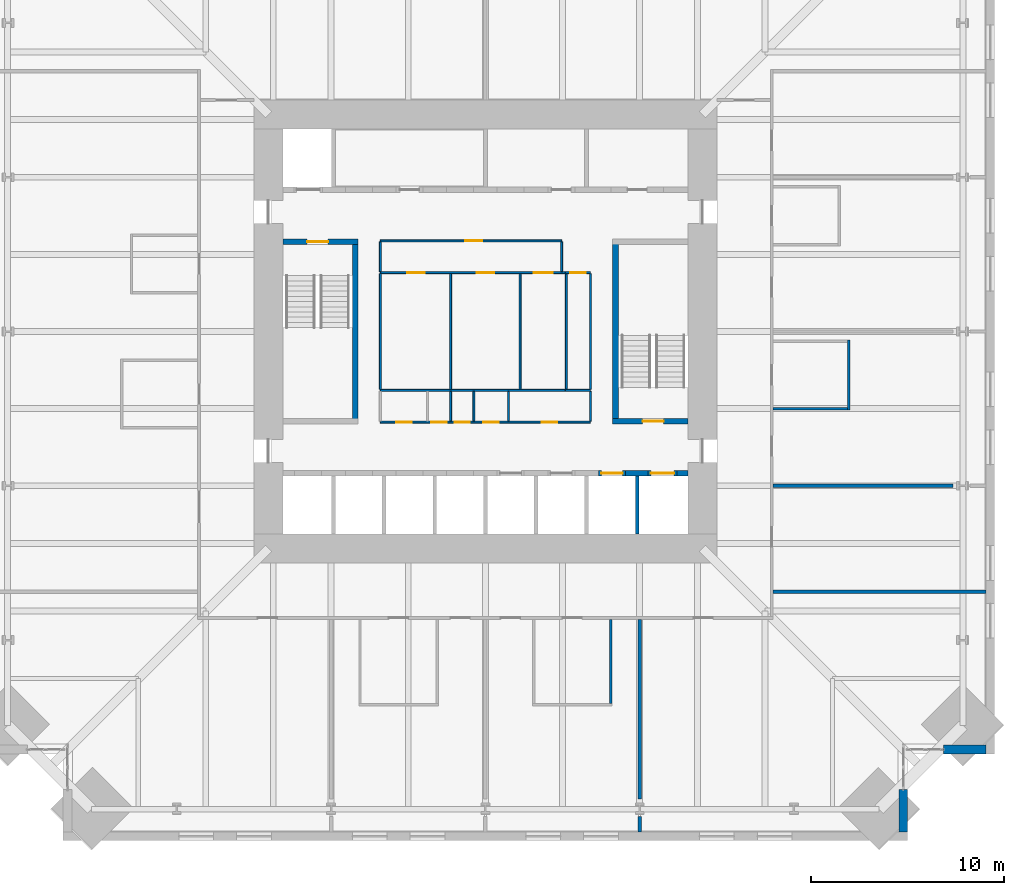
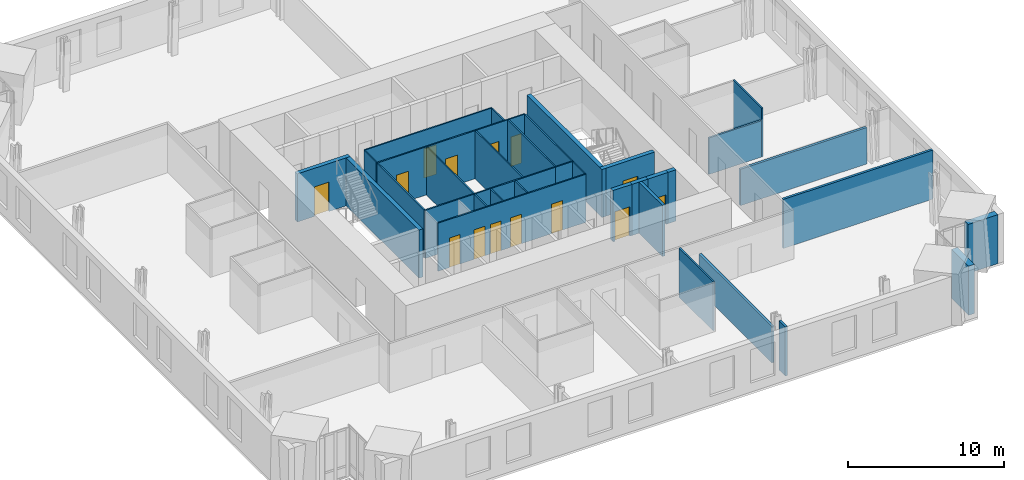
# One storey, part 15 of 18: 35 walls, 14 doors, 14 openings.
"""IFC4 building model written with IfcOpenShell, lengths in metres."""

from ifc_helpers import new_model, si_unit, direction, frame, frame_2d, origin, place, context, subcontext, project, spatial, rectangle, extrude, material, layer, layer_set, type_object, element, fill, save


model = new_model("IFC4")

# Units and contexts
model_context = context("Model", 3, precision=1e-05, world=origin(), true_north=direction((0.0, 1.0)))
body_context = subcontext(model_context, "Body", "Model", "MODEL_VIEW")
ifc_project = project(units=[si_unit("LENGTHUNIT", "METRE"), si_unit("AREAUNIT", "SQUARE_METRE"), si_unit("VOLUMEUNIT", "CUBIC_METRE"), si_unit("PLANEANGLEUNIT", "RADIAN"), si_unit("MASSUNIT", "GRAM", prefix="KILO")], contexts=[model_context])

# Site, building, storey
site_placement = place(None, origin())
site = spatial("IfcSite", under=ifc_project, at=site_placement, CompositionType="ELEMENT")
building_placement = place(site_placement, origin())
building = spatial("IfcBuilding", under=site, at=building_placement, Name="Peilmerk Tower", CompositionType="ELEMENT")
storey_placement = place(building_placement, frame((0.0, 0.0, 151.800048828125)))
storey = spatial("IfcBuildingStorey", under=building, at=storey_placement, Name="L31", CompositionType="ELEMENT", Elevation=151.800048828125)

# Walls
ifc_material_1 = material(Name="Precast concrete C45/55, board-marked finish", Category="concrete")
ifc_layer_1 = layer(ifc_material_1, 0.449951171875)
ifc_layer_set_1 = layer_set([ifc_layer_1], Name="Precast concrete C45/55, board-marked finish")
wall_type_1 = type_object("IfcWallType", Name="EW1 450 precast concrete facade wall, board-marked", PredefinedType="SOLIDWALL", material=ifc_layer_set_1)
for number, where, z_axis, x_axis, name in (
    (1, (21.675048828125, -23.753662109375, 0.0), (0.0, 0.0, 1.0), (0.0, -1.0, 0.0), "Facade wall SEA L31"),
    (2, (23.753662109375, -21.675048828125, 0.0), (0.0, 0.0, 1.0), (1.0, 0.0, 0.0), "Facade wall SEB L31"),
):
    element("IfcWall", number, at=place(storey_placement, frame(where, z_axis=z_axis, x_axis=x_axis)), inside=storey, type_object=wall_type_1, Name=name, PredefinedType="SOLIDWALL", context=body_context, shape_type="SweptSolid", body=[
        extrude(rectangle(XDim=2.1962890625, YDim=0.449951171875, at=frame_2d((1.09814453125, 0.0))), origin(), (0.0, 0.0, 1.0), 3.829833984375),
    ])
ifc_material_2 = material(Name="Concrete C35/45", Category="concrete")
ifc_layer_2 = layer(ifc_material_2, 0.300048828125)
ifc_layer_set_2 = layer_set([ifc_layer_2], Name="Concrete C35/45")
wall_type_2 = type_object("IfcWallType", Name="IW3 300 concrete stair enclosure wall, EI 120", PredefinedType="SOLIDWALL", material=ifc_layer_set_2)
wall_1_placement = place(storey_placement, frame((-6.75, -4.800048828125, 0.0), z_axis=(0.0, 0.0, 1.0), x_axis=(0.0, 1.0, 0.0)))
element("IfcWall", 3, at=wall_1_placement, inside=storey, type_object=wall_type_2, Name="Stair 1 enclosure L31", PredefinedType="SOLIDWALL", context=body_context, shape_type="SweptSolid", body=[
    extrude(rectangle(XDim=9.60009765625, YDim=0.300048828125, at=frame_2d((4.800048828125, 0.0))), origin(), (0.0, 0.0, 1.0), 3.75),
])

# Wall, opening, door
wall_2_placement = place(storey_placement, frame((-10.5, 4.64990234375, 0.0), z_axis=(0.0, 0.0, 1.0), x_axis=(1.0, 0.0, 0.0)))
wall_2 = element("IfcWall", 4, at=wall_2_placement, inside=storey, type_object=wall_type_2, Name="Stair 1 enclosure L31", PredefinedType="SOLIDWALL", context=body_context, shape_type="SweptSolid", body=[
    extrude(rectangle(XDim=3.89990234375, YDim=0.300048828125, at=frame_2d((1.949951171875, 0.0))), origin(), (0.0, 0.0, 1.0), 3.75),
])
opening_1_placement = place(wall_2_placement, frame((1.25, 0.0, 0.0)))
opening_1 = element("IfcOpeningElement", 5, at=opening_1_placement, cuts=wall_2, Name="Opening D4", PredefinedType="OPENING", context=body_context, shape_type="SweptSolid", body=[
    extrude(rectangle(XDim=1.10009765625, YDim=2.300048828125, at=frame_2d((0.550048828125, 1.14990234375))), frame((0.0, 0.159912109375, 0.0), z_axis=(0.0, -1.0, 0.0), x_axis=(1.0, 0.0, 0.0)), (0.0, 0.0, 1.0), 0.320068359375),
])
ifc_material_3 = material(Name="Steel door in steel frame", Category="steel")
door_type_1 = type_object("IfcDoorType", Name="D4 1100x2300 stair door, EI2 60", OperationType="SINGLE_SWING_RIGHT", PredefinedType="DOOR", material=ifc_material_3)
door_1_placement = place(opening_1_placement, frame((1.10009765625, 0.0, 0.0), z_axis=(0.0, 0.0, 1.0), x_axis=(-1.0, 0.0, 0.0)))
door_1 = element("IfcDoor", 6, at=door_1_placement, inside=storey, type_object=door_type_1, Name="Stair 1 door L31", OperationType="SINGLE_SWING_RIGHT", OverallHeight=2.300048828125, OverallWidth=1.10009765625, PredefinedType="DOOR", context=body_context, shape_type="SweptSolid", body=[
    extrude(rectangle(XDim=1.10009765625, YDim=2.300048828125, at=frame_2d((0.550048828125, 1.14990234375))), frame((0.0, 0.02490234375, 0.0), z_axis=(0.0, -1.0, 0.0), x_axis=(1.0, 0.0, 0.0)), (0.0, 0.0, 1.0), 0.050048828125),
])
fill(opening_1, door_1)

# Wall
wall_3_placement = place(storey_placement, frame((6.75, -4.800048828125, 0.0), z_axis=(0.0, 0.0, 1.0), x_axis=(0.0, 1.0, 0.0)))
element("IfcWall", 7, at=wall_3_placement, inside=storey, type_object=wall_type_2, Name="Stair 2 enclosure L31", PredefinedType="SOLIDWALL", context=body_context, shape_type="SweptSolid", body=[
    extrude(rectangle(XDim=9.60009765625, YDim=0.300048828125, at=frame_2d((4.800048828125, 0.0))), origin(), (0.0, 0.0, 1.0), 3.75),
])

# Wall, opening, door
wall_4_placement = place(storey_placement, frame((10.5, -4.64990234375, 0.0), z_axis=(0.0, 0.0, 1.0), x_axis=(-1.0, 0.0, 0.0)))
wall_4 = element("IfcWall", 8, at=wall_4_placement, inside=storey, type_object=wall_type_2, Name="Stair 2 enclosure L31", PredefinedType="SOLIDWALL", context=body_context, shape_type="SweptSolid", body=[
    extrude(rectangle(XDim=3.89990234375, YDim=0.300048828125, at=frame_2d((1.949951171875, 0.0))), origin(), (0.0, 0.0, 1.0), 3.75),
])
opening_2_placement = place(wall_4_placement, frame((1.25, 0.0, 0.0)))
opening_2 = element("IfcOpeningElement", 9, at=opening_2_placement, cuts=wall_4, Name="Opening D4", PredefinedType="OPENING", context=body_context, shape_type="SweptSolid", body=[
    extrude(rectangle(XDim=1.10009765625, YDim=2.300048828125, at=frame_2d((0.550048828125, 1.14990234375))), frame((0.0, 0.159912109375, 0.0), z_axis=(0.0, -1.0, 0.0), x_axis=(1.0, 0.0, 0.0)), (0.0, 0.0, 1.0), 0.320068359375),
])
door_2_placement = place(opening_2_placement, frame((1.10009765625, 0.0, 0.0), z_axis=(0.0, 0.0, 1.0), x_axis=(-1.0, 0.0, 0.0)))
door_2 = element("IfcDoor", 10, at=door_2_placement, inside=storey, type_object=door_type_1, Name="Stair 2 door L31", OperationType="SINGLE_SWING_RIGHT", OverallHeight=2.300048828125, OverallWidth=1.10009765625, PredefinedType="DOOR", context=body_context, shape_type="SweptSolid", body=[
    extrude(rectangle(XDim=1.10009765625, YDim=2.300048828125, at=frame_2d((0.550048828125, 1.14990234375))), frame((0.0, 0.02490234375, 0.0), z_axis=(0.0, -1.0, 0.0), x_axis=(1.0, 0.0, 0.0)), (0.0, 0.0, 1.0), 0.050048828125),
])
fill(opening_2, door_2)

# Wall, openings, doors
ifc_material_4 = material(Name="Plasterboard on steel studs", Category="steel")
ifc_layer_3 = layer(ifc_material_4, 0.10009765625)
ifc_layer_set_3 = layer_set([ifc_layer_3], Name="Plasterboard on steel studs")
wall_type_3 = type_object("IfcWallType", Name="IW4 100 WC partition", PredefinedType="PARTITIONING", material=ifc_layer_set_3)
wall_5_placement = place(storey_placement, frame((-5.449951171875, 3.050048828125, 0.0), z_axis=(0.0, 0.0, 1.0), x_axis=(1.0, 0.0, 0.0)))
wall_5 = element("IfcWall", 11, at=wall_5_placement, inside=storey, type_object=wall_type_3, Name="WC wall L31", PredefinedType="PARTITIONING", context=body_context, shape_type="SweptSolid", body=[
    extrude(rectangle(XDim=9.599853515625, YDim=0.10009765625, at=frame_2d((4.7998046875, 0.0))), origin(), (0.0, 0.0, 1.0), 3.75),
])
opening_3_placement = place(wall_5_placement, frame((1.39990234375, 0.0, 0.0)))
opening_3 = element("IfcOpeningElement", 12, at=opening_3_placement, cuts=wall_5, Name="Opening D5", PredefinedType="OPENING", context=body_context, shape_type="SweptSolid", body=[
    extrude(rectangle(XDim=0.89990234375, YDim=2.300048828125, at=frame_2d((0.449951171875, 1.14990234375))), frame((0.0, 0.06005859375, 0.0), z_axis=(0.0, -1.0, 0.0), x_axis=(1.0, 0.0, 0.0)), (0.0, 0.0, 1.0), 0.1201171875),
])
opening_4_placement = place(wall_5_placement, frame((5.0, 0.0, 0.0)))
opening_4 = element("IfcOpeningElement", 13, at=opening_4_placement, cuts=wall_5, Name="Opening D5", PredefinedType="OPENING", context=body_context, shape_type="SweptSolid", body=[
    extrude(rectangle(XDim=0.89990234375, YDim=2.300048828125, at=frame_2d((0.449951171875, 1.14990234375))), frame((0.0, 0.06005859375, 0.0), z_axis=(0.0, -1.0, 0.0), x_axis=(1.0, 0.0, 0.0)), (0.0, 0.0, 1.0), 0.1201171875),
])
opening_5_placement = place(wall_5_placement, frame((7.949951171875, 0.0, 0.0)))
opening_5 = element("IfcOpeningElement", 14, at=opening_5_placement, cuts=wall_5, Name="Opening D6", PredefinedType="OPENING", context=body_context, shape_type="SweptSolid", body=[
    extrude(rectangle(XDim=1.0, YDim=2.300048828125, at=frame_2d((0.5, 1.14990234375))), frame((0.0, 0.06005859375, 0.0), z_axis=(0.0, -1.0, 0.0), x_axis=(1.0, 0.0, 0.0)), (0.0, 0.0, 1.0), 0.1201171875),
])
ifc_material_5 = material(Name="Timber door in steel frame", Category="steel")
door_type_2 = type_object("IfcDoorType", Name="D5 900x2300 WC door", OperationType="SINGLE_SWING_LEFT", PredefinedType="DOOR", material=ifc_material_5)
door_3_placement = place(opening_3_placement, frame((0.89990234375, 0.0, 0.0), z_axis=(0.0, 0.0, 1.0), x_axis=(-1.0, 0.0, 0.0)))
door_3 = element("IfcDoor", 15, at=door_3_placement, inside=storey, type_object=door_type_2, Name="Male toilets door L31", OperationType="SINGLE_SWING_LEFT", OverallHeight=2.300048828125, OverallWidth=0.89990234375, PredefinedType="DOOR", context=body_context, shape_type="SweptSolid", body=[
    extrude(rectangle(XDim=0.89990234375, YDim=2.300048828125, at=frame_2d((0.449951171875, 1.14990234375))), frame((0.0, 0.02490234375, 0.0), z_axis=(0.0, -1.0, 0.0), x_axis=(1.0, 0.0, 0.0)), (0.0, 0.0, 1.0), 0.050048828125),
])
fill(opening_3, door_3)
door_4_placement = place(opening_4_placement, frame((0.89990234375, 0.0, 0.0), z_axis=(0.0, 0.0, 1.0), x_axis=(-1.0, 0.0, 0.0)))
door_4 = element("IfcDoor", 16, at=door_4_placement, inside=storey, type_object=door_type_2, Name="Female toilets door L31", OperationType="SINGLE_SWING_LEFT", OverallHeight=2.300048828125, OverallWidth=0.89990234375, PredefinedType="DOOR", context=body_context, shape_type="SweptSolid", body=[
    extrude(rectangle(XDim=0.89990234375, YDim=2.300048828125, at=frame_2d((0.449951171875, 1.14990234375))), frame((0.0, 0.02490234375, 0.0), z_axis=(0.0, -1.0, 0.0), x_axis=(1.0, 0.0, 0.0)), (0.0, 0.0, 1.0), 0.050048828125),
])
fill(opening_4, door_4)
door_type_3 = type_object("IfcDoorType", Name="D6 1000x2300 accessible WC door", OperationType="SLIDING_TO_LEFT", PredefinedType="DOOR", material=ifc_material_5)
door_5_placement = place(opening_5_placement, frame((1.0, 0.0, 0.0), z_axis=(0.0, 0.0, 1.0), x_axis=(-1.0, 0.0, 0.0)))
door_5 = element("IfcDoor", 17, at=door_5_placement, inside=storey, type_object=door_type_3, Name="Accessible WC door L31", OperationType="SLIDING_TO_LEFT", OverallHeight=2.300048828125, OverallWidth=1.0, PredefinedType="DOOR", context=body_context, shape_type="SweptSolid", body=[
    extrude(rectangle(XDim=1.0, YDim=2.300048828125, at=frame_2d((0.5, 1.14990234375))), frame((0.0, 0.02490234375, 0.0), z_axis=(0.0, -1.0, 0.0), x_axis=(1.0, 0.0, 0.0)), (0.0, 0.0, 1.0), 0.050048828125),
])
fill(opening_5, door_5)

# Walls
wall_6_placement = place(storey_placement, frame((4.14990234375, -3.050048828125, 0.0), z_axis=(0.0, 0.0, 1.0), x_axis=(-1.0, 0.0, 0.0)))
element("IfcWall", 18, at=wall_6_placement, inside=storey, type_object=wall_type_3, Name="WC wall L31", PredefinedType="PARTITIONING", context=body_context, shape_type="SweptSolid", body=[
    extrude(rectangle(XDim=9.599853515625, YDim=0.10009765625, at=frame_2d((4.7998046875, 0.0))), origin(), (0.0, 0.0, 1.0), 3.75),
])
for number, where, z_axis, x_axis, name in (
    (19, (-5.449951171875, -3.0, 0.0), (0.0, 0.0, 1.0), (0.0, 1.0, 0.0), "WC wall L31"),
    (20, (-1.800048828125, -3.0, 0.0), (0.0, 0.0, 1.0), (0.0, 1.0, 0.0), "WC wall L31"),
    (21, (1.800048828125, -3.0, 0.0), (0.0, 0.0, 1.0), (0.0, 1.0, 0.0), "WC wall L31"),
):
    element("IfcWall", number, at=place(storey_placement, frame(where, z_axis=z_axis, x_axis=x_axis)), inside=storey, type_object=wall_type_3, Name=name, PredefinedType="PARTITIONING", context=body_context, shape_type="SweptSolid", body=[
        extrude(rectangle(XDim=6.0, YDim=0.10009765625, at=frame_2d((3.0, 0.0))), origin(), (0.0, 0.0, 1.0), 3.75),
    ])

# Wall, opening, door
ifc_material_6 = material(Name="Calcium silicate board on steel studs", Category="steel")
ifc_layer_4 = layer(ifc_material_6, 0.10009765625)
ifc_layer_set_4 = layer_set([ifc_layer_4], Name="Calcium silicate board on steel studs")
wall_type_4 = type_object("IfcWallType", Name="IW5 100 riser enclosure wall, EI 60", PredefinedType="PARTITIONING", material=ifc_layer_set_4)
wall_7_placement = place(storey_placement, frame((4.14990234375, 3.050048828125, 0.0), z_axis=(0.0, 0.0, 1.0), x_axis=(1.0, 0.0, 0.0)))
wall_7 = element("IfcWall", 22, at=wall_7_placement, inside=storey, type_object=wall_type_4, Name="Riser wall L31", PredefinedType="PARTITIONING", context=body_context, shape_type="SweptSolid", body=[
    extrude(rectangle(XDim=1.300048828125, YDim=0.10009765625, at=frame_2d((0.64990234375, 0.0))), origin(), (0.0, 0.0, 1.0), 3.75),
])
opening_6_placement = place(wall_7_placement, frame((0.25, 0.0, 0.0)))
opening_6 = element("IfcOpeningElement", 23, at=opening_6_placement, cuts=wall_7, Name="Opening D7", PredefinedType="OPENING", context=body_context, shape_type="SweptSolid", body=[
    extrude(rectangle(XDim=0.800048828125, YDim=2.300048828125, at=frame_2d((0.39990234375, 1.14990234375))), frame((0.0, 0.06005859375, 0.0), z_axis=(0.0, -1.0, 0.0), x_axis=(1.0, 0.0, 0.0)), (0.0, 0.0, 1.0), 0.1201171875),
])
door_type_4 = type_object("IfcDoorType", Name="D7 800x2300 riser access door, EI2 60", OperationType="SINGLE_SWING_RIGHT", PredefinedType="DOOR", material=ifc_material_3)
door_6_placement = place(opening_6_placement, frame((0.800048828125, 0.0, 0.0), z_axis=(0.0, 0.0, 1.0), x_axis=(-1.0, 0.0, 0.0)))
door_6 = element("IfcDoor", 24, at=door_6_placement, inside=storey, type_object=door_type_4, Name="Plumbing riser door L31", OperationType="SINGLE_SWING_RIGHT", OverallHeight=2.300048828125, OverallWidth=0.800048828125, PredefinedType="DOOR", context=body_context, shape_type="SweptSolid", body=[
    extrude(rectangle(XDim=0.800048828125, YDim=2.300048828125, at=frame_2d((0.39990234375, 1.14990234375))), frame((0.0, 0.02490234375, 0.0), z_axis=(0.0, -1.0, 0.0), x_axis=(1.0, 0.0, 0.0)), (0.0, 0.0, 1.0), 0.050048828125),
])
fill(opening_6, door_6)

# Walls
wall_8_placement = place(storey_placement, frame((5.449951171875, -3.050048828125, 0.0), z_axis=(0.0, 0.0, 1.0), x_axis=(-1.0, 0.0, 0.0)))
element("IfcWall", 25, at=wall_8_placement, inside=storey, type_object=wall_type_4, Name="Riser wall L31", PredefinedType="PARTITIONING", context=body_context, shape_type="SweptSolid", body=[
    extrude(rectangle(XDim=1.300048828125, YDim=0.10009765625, at=frame_2d((0.64990234375, 0.0))), origin(), (0.0, 0.0, 1.0), 3.75),
])
for number, where, z_axis, x_axis, name in (
    (26, (5.449951171875, 3.0, 0.0), (0.0, 0.0, 1.0), (0.0, -1.0, 0.0), "Riser wall L31"),
    (27, (4.199951171875, -3.0, 0.0), (0.0, 0.0, 1.0), (0.0, 1.0, 0.0), "Riser wall L31"),
):
    element("IfcWall", number, at=place(storey_placement, frame(where, z_axis=z_axis, x_axis=x_axis)), inside=storey, type_object=wall_type_4, Name=name, PredefinedType="PARTITIONING", context=body_context, shape_type="SweptSolid", body=[
        extrude(rectangle(XDim=6.0, YDim=0.10009765625, at=frame_2d((3.0, 0.0))), origin(), (0.0, 0.0, 1.0), 3.75),
    ])

# Wall, openings, doors
wall_9_placement = place(storey_placement, frame((5.449951171875, -4.699951171875, 0.0), z_axis=(0.0, 0.0, 1.0), x_axis=(-1.0, 0.0, 0.0)))
wall_9 = element("IfcWall", 28, at=wall_9_placement, inside=storey, type_object=wall_type_4, Name="Riser wall L31", PredefinedType="PARTITIONING", context=body_context, shape_type="SweptSolid", body=[
    extrude(rectangle(XDim=10.89990234375, YDim=0.10009765625, at=frame_2d((5.449951171875, 0.0))), origin(), (0.0, 0.0, 1.0), 3.75),
])
opening_7_placement = place(wall_9_placement, frame((9.27490234375, 0.0, 0.0)))
opening_7 = element("IfcOpeningElement", 29, at=opening_7_placement, cuts=wall_9, Name="Opening D7", PredefinedType="OPENING", context=body_context, shape_type="SweptSolid", body=[
    extrude(rectangle(XDim=0.800048828125, YDim=2.300048828125, at=frame_2d((0.39990234375, 1.14990234375))), frame((0.0, 0.06005859375, 0.0), z_axis=(0.0, -1.0, 0.0), x_axis=(1.0, 0.0, 0.0)), (0.0, 0.0, 1.0), 0.1201171875),
])
opening_8_placement = place(wall_9_placement, frame((7.449951171875, 0.0, 0.0)))
opening_8 = element("IfcOpeningElement", 30, at=opening_8_placement, cuts=wall_9, Name="Opening D7", PredefinedType="OPENING", context=body_context, shape_type="SweptSolid", body=[
    extrude(rectangle(XDim=0.800048828125, YDim=2.300048828125, at=frame_2d((0.39990234375, 1.14990234375))), frame((0.0, 0.06005859375, 0.0), z_axis=(0.0, -1.0, 0.0), x_axis=(1.0, 0.0, 0.0)), (0.0, 0.0, 1.0), 0.1201171875),
])
opening_9_placement = place(wall_9_placement, frame((6.25, 0.0, 0.0)))
opening_9 = element("IfcOpeningElement", 31, at=opening_9_placement, cuts=wall_9, Name="Opening D7", PredefinedType="OPENING", context=body_context, shape_type="SweptSolid", body=[
    extrude(rectangle(XDim=0.800048828125, YDim=2.300048828125, at=frame_2d((0.39990234375, 1.14990234375))), frame((0.0, 0.06005859375, 0.0), z_axis=(0.0, -1.0, 0.0), x_axis=(1.0, 0.0, 0.0)), (0.0, 0.0, 1.0), 0.1201171875),
])
opening_10_placement = place(wall_9_placement, frame((4.75, 0.0, 0.0)))
opening_10 = element("IfcOpeningElement", 32, at=opening_10_placement, cuts=wall_9, Name="Opening D7", PredefinedType="OPENING", context=body_context, shape_type="SweptSolid", body=[
    extrude(rectangle(XDim=0.800048828125, YDim=2.300048828125, at=frame_2d((0.39990234375, 1.14990234375))), frame((0.0, 0.06005859375, 0.0), z_axis=(0.0, -1.0, 0.0), x_axis=(1.0, 0.0, 0.0)), (0.0, 0.0, 1.0), 0.1201171875),
])
opening_11_placement = place(wall_9_placement, frame((1.72509765625, 0.0, 0.0)))
opening_11 = element("IfcOpeningElement", 33, at=opening_11_placement, cuts=wall_9, Name="Opening D7", PredefinedType="OPENING", context=body_context, shape_type="SweptSolid", body=[
    extrude(rectangle(XDim=0.800048828125, YDim=2.300048828125, at=frame_2d((0.39990234375, 1.14990234375))), frame((0.0, 0.06005859375, 0.0), z_axis=(0.0, -1.0, 0.0), x_axis=(1.0, 0.0, 0.0)), (0.0, 0.0, 1.0), 0.1201171875),
])
door_7_placement = place(opening_7_placement, frame((0.800048828125, 0.0, 0.0), z_axis=(0.0, 0.0, 1.0), x_axis=(-1.0, 0.0, 0.0)))
door_7 = element("IfcDoor", 34, at=door_7_placement, inside=storey, type_object=door_type_4, Name="Electrical room door L31", OperationType="SINGLE_SWING_RIGHT", OverallHeight=2.300048828125, OverallWidth=0.800048828125, PredefinedType="DOOR", context=body_context, shape_type="SweptSolid", body=[
    extrude(rectangle(XDim=0.800048828125, YDim=2.300048828125, at=frame_2d((0.39990234375, 1.14990234375))), frame((0.0, 0.02490234375, 0.0), z_axis=(0.0, -1.0, 0.0), x_axis=(1.0, 0.0, 0.0)), (0.0, 0.0, 1.0), 0.050048828125),
])
fill(opening_7, door_7)
door_8_placement = place(opening_8_placement, frame((0.800048828125, 0.0, 0.0), z_axis=(0.0, 0.0, 1.0), x_axis=(-1.0, 0.0, 0.0)))
door_8 = element("IfcDoor", 35, at=door_8_placement, inside=storey, type_object=door_type_4, Name="Electrical riser door L31", OperationType="SINGLE_SWING_RIGHT", OverallHeight=2.300048828125, OverallWidth=0.800048828125, PredefinedType="DOOR", context=body_context, shape_type="SweptSolid", body=[
    extrude(rectangle(XDim=0.800048828125, YDim=2.300048828125, at=frame_2d((0.39990234375, 1.14990234375))), frame((0.0, 0.02490234375, 0.0), z_axis=(0.0, -1.0, 0.0), x_axis=(1.0, 0.0, 0.0)), (0.0, 0.0, 1.0), 0.050048828125),
])
fill(opening_8, door_8)
door_9_placement = place(opening_9_placement, frame((0.800048828125, 0.0, 0.0), z_axis=(0.0, 0.0, 1.0), x_axis=(-1.0, 0.0, 0.0)))
door_9 = element("IfcDoor", 36, at=door_9_placement, inside=storey, type_object=door_type_4, Name="Data riser door L31", OperationType="SINGLE_SWING_RIGHT", OverallHeight=2.300048828125, OverallWidth=0.800048828125, PredefinedType="DOOR", context=body_context, shape_type="SweptSolid", body=[
    extrude(rectangle(XDim=0.800048828125, YDim=2.300048828125, at=frame_2d((0.39990234375, 1.14990234375))), frame((0.0, 0.02490234375, 0.0), z_axis=(0.0, -1.0, 0.0), x_axis=(1.0, 0.0, 0.0)), (0.0, 0.0, 1.0), 0.050048828125),
])
fill(opening_9, door_9)
door_10_placement = place(opening_10_placement, frame((0.800048828125, 0.0, 0.0), z_axis=(0.0, 0.0, 1.0), x_axis=(-1.0, 0.0, 0.0)))
door_10 = element("IfcDoor", 37, at=door_10_placement, inside=storey, type_object=door_type_4, Name="Cleaner's cupboard door L31", OperationType="SINGLE_SWING_RIGHT", OverallHeight=2.300048828125, OverallWidth=0.800048828125, PredefinedType="DOOR", context=body_context, shape_type="SweptSolid", body=[
    extrude(rectangle(XDim=0.800048828125, YDim=2.300048828125, at=frame_2d((0.39990234375, 1.14990234375))), frame((0.0, 0.02490234375, 0.0), z_axis=(0.0, -1.0, 0.0), x_axis=(1.0, 0.0, 0.0)), (0.0, 0.0, 1.0), 0.050048828125),
])
fill(opening_10, door_10)
door_11_placement = place(opening_11_placement, frame((0.800048828125, 0.0, 0.0), z_axis=(0.0, 0.0, 1.0), x_axis=(-1.0, 0.0, 0.0)))
door_11 = element("IfcDoor", 38, at=door_11_placement, inside=storey, type_object=door_type_4, Name="Comms room door L31", OperationType="SINGLE_SWING_RIGHT", OverallHeight=2.300048828125, OverallWidth=0.800048828125, PredefinedType="DOOR", context=body_context, shape_type="SweptSolid", body=[
    extrude(rectangle(XDim=0.800048828125, YDim=2.300048828125, at=frame_2d((0.39990234375, 1.14990234375))), frame((0.0, 0.02490234375, 0.0), z_axis=(0.0, -1.0, 0.0), x_axis=(1.0, 0.0, 0.0)), (0.0, 0.0, 1.0), 0.050048828125),
])
fill(opening_11, door_11)

# Walls
for number, where, z_axis, x_axis, name in (
    (39, (5.449951171875, -3.10009765625, 0.0), (0.0, 0.0, 1.0), (0.0, -1.0, 0.0), "Riser wall L31"),
    (40, (-1.800048828125, -3.10009765625, 0.0), (0.0, 0.0, 1.0), (0.0, -1.0, 0.0), "Riser wall L31"),
    (41, (-0.60009765625, -3.10009765625, 0.0), (0.0, 0.0, 1.0), (0.0, -1.0, 0.0), "Riser wall L31"),
    (42, (1.199951171875, -3.10009765625, 0.0), (0.0, 0.0, 1.0), (0.0, -1.0, 0.0), "Riser wall L31"),
):
    element("IfcWall", number, at=place(storey_placement, frame(where, z_axis=z_axis, x_axis=x_axis)), inside=storey, type_object=wall_type_4, Name=name, PredefinedType="PARTITIONING", context=body_context, shape_type="SweptSolid", body=[
        extrude(rectangle(XDim=1.5498046875, YDim=0.10009765625, at=frame_2d((0.77490234375, 0.0))), origin(), (0.0, 0.0, 1.0), 3.75),
    ])
ifc_material_7 = material(Name="Plasterboard on steel studs, double boarded with mineral wool", Category="steel")
ifc_layer_5 = layer(ifc_material_7, 0.125)
ifc_layer_set_5 = layer_set([ifc_layer_5], Name="Plasterboard on steel studs, double boarded with mineral wool")
wall_type_5 = type_object("IfcWallType", Name="IW7 125 acoustic partition, EI 30", PredefinedType="PARTITIONING", material=ifc_layer_set_5)
wall_10_placement = place(storey_placement, frame((6.5, -14.925048828125, 0.0), z_axis=(0.0, 0.0, 1.0), x_axis=(0.0, -1.0, 0.0)))
element("IfcWall", 43, at=wall_10_placement, inside=storey, type_object=wall_type_5, Name="Acoustic partition Meeting room L31", PredefinedType="PARTITIONING", context=body_context, shape_type="SweptSolid", body=[
    extrude(rectangle(XDim=4.362548828125, YDim=0.125, at=frame_2d((2.18115234375, 0.0))), origin(), (0.0, 0.0, 1.0), 3.829833984375),
])
wall_11_placement = place(storey_placement, frame((18.85009765625, -4.0625, 0.0), z_axis=(0.0, 0.0, 1.0), x_axis=(0.0, 1.0, 0.0)))
element("IfcWall", 44, at=wall_11_placement, inside=storey, type_object=wall_type_5, Name="Acoustic partition Meeting room L31", PredefinedType="PARTITIONING", context=body_context, shape_type="SweptSolid", body=[
    extrude(rectangle(XDim=3.625, YDim=0.125, at=frame_2d((1.8125, 0.0))), origin(), (0.0, 0.0, 1.0), 3.829833984375),
])
wall_12_placement = place(storey_placement, frame((14.925048828125, -4.0, 0.0), z_axis=(0.0, 0.0, 1.0), x_axis=(1.0, 0.0, 0.0)))
element("IfcWall", 45, at=wall_12_placement, inside=storey, type_object=wall_type_5, Name="Acoustic partition Meeting room L31", PredefinedType="PARTITIONING", context=body_context, shape_type="SweptSolid", body=[
    extrude(rectangle(XDim=3.862548828125, YDim=0.125, at=frame_2d((1.93115234375, 0.0))), origin(), (0.0, 0.0, 1.0), 2.83984375),
])
ifc_material_8 = material(Name="Calcium silicate block", Category="masonry")
ifc_layer_6 = layer(ifc_material_8, 0.175048828125)
ifc_layer_set_6 = layer_set([ifc_layer_6], Name="Calcium silicate block")
wall_type_6 = type_object("IfcWallType", Name="IW8 175 tenant separating wall, EI 60", PredefinedType="PARTITIONING", material=ifc_layer_set_6)
wall_13_placement = place(storey_placement, frame((25.949951171875, -13.5, 0.0), z_axis=(0.0, 0.0, 1.0), x_axis=(-1.0, 0.0, 0.0)))
element("IfcWall", 46, at=wall_13_placement, inside=storey, type_object=wall_type_6, Name="Tenant separating wall SE L31", PredefinedType="PARTITIONING", context=body_context, shape_type="SweptSolid", body=[
    extrude(rectangle(XDim=11.02490234375, YDim=0.175048828125, at=frame_2d((5.512451171875, 0.0))), origin(), (0.0, 0.0, 1.0), 3.829833984375),
])
wall_14_placement = place(storey_placement, frame((8.0, -14.925048828125, 0.0), z_axis=(0.0, 0.0, 1.0), x_axis=(0.0, -1.0, 0.0)))
element("IfcWall", 47, at=wall_14_placement, inside=storey, type_object=wall_type_6, Name="Tenant separating wall S3 L31", PredefinedType="PARTITIONING", context=body_context, shape_type="SweptSolid", body=[
    extrude(rectangle(XDim=9.325439453125, YDim=0.175048828125, at=frame_2d((4.66259765625, 0.0))), origin(), (0.0, 0.0, 1.0), 2.83984375),
])
wall_15_placement = place(storey_placement, frame((8.0, -25.1396484375, 0.0), z_axis=(0.0, 0.0, 1.0), x_axis=(0.0, -1.0, 0.0)))
element("IfcWall", 48, at=wall_15_placement, inside=storey, type_object=wall_type_6, Name="Tenant separating wall S3b L31", PredefinedType="PARTITIONING", context=body_context, shape_type="SweptSolid", body=[
    extrude(rectangle(XDim=0.810302734375, YDim=0.175048828125, at=frame_2d((0.4052734375, 0.0))), origin(), (0.0, 0.0, 1.0), 3.829833984375),
])
wall_16_placement = place(storey_placement, frame((14.925048828125, -8.0, 0.0), z_axis=(0.0, 0.0, 1.0), x_axis=(1.0, 0.0, 0.0)))
element("IfcWall", 49, at=wall_16_placement, inside=storey, type_object=wall_type_6, Name="Tenant separating wall E1 L31", PredefinedType="PARTITIONING", context=body_context, shape_type="SweptSolid", body=[
    extrude(rectangle(XDim=9.325439453125, YDim=0.175048828125, at=frame_2d((4.66259765625, 0.0))), origin(), (0.0, 0.0, 1.0), 2.83984375),
])

# Wall, opening, door
ifc_material_9 = material(Name="Fire-resisting plasterboard on steel studs", Category="steel")
ifc_layer_7 = layer(ifc_material_9, 0.10009765625)
ifc_layer_set_7 = layer_set([ifc_layer_7], Name="Fire-resisting plasterboard on steel studs")
wall_type_7 = type_object("IfcWallType", Name="IW9 100 WC lobby wall, EI 30", PredefinedType="PARTITIONING", material=ifc_layer_set_7)
wall_17_placement = place(storey_placement, frame((-5.449951171875, 4.699951171875, 0.0), z_axis=(0.0, 0.0, 1.0), x_axis=(1.0, 0.0, 0.0)))
wall_17 = element("IfcWall", 50, at=wall_17_placement, inside=storey, type_object=wall_type_7, Name="WC lobby wall L31", PredefinedType="PARTITIONING", context=body_context, shape_type="SweptSolid", body=[
    extrude(rectangle(XDim=9.39990234375, YDim=0.10009765625, at=frame_2d((4.699951171875, 0.0))), origin(), (0.0, 0.0, 1.0), 3.75),
])
opening_12_placement = place(wall_17_placement, frame((4.39990234375, 0.0, 0.0)))
opening_12 = element("IfcOpeningElement", 51, at=opening_12_placement, cuts=wall_17, Name="Opening D11", PredefinedType="OPENING", context=body_context, shape_type="SweptSolid", body=[
    extrude(rectangle(XDim=0.89990234375, YDim=2.300048828125, at=frame_2d((0.449951171875, 1.14990234375))), frame((0.0, 0.06005859375, 0.0), z_axis=(0.0, -1.0, 0.0), x_axis=(1.0, 0.0, 0.0)), (0.0, 0.0, 1.0), 0.1201171875),
])
door_type_5 = type_object("IfcDoorType", Name="D11 900x2300 WC lobby door, EI2 30", OperationType="SINGLE_SWING_LEFT", PredefinedType="DOOR", material=ifc_material_5)
door_12_placement = place(opening_12_placement, frame((0.89990234375, 0.0, 0.0), z_axis=(0.0, 0.0, 1.0), x_axis=(-1.0, 0.0, 0.0)))
door_12 = element("IfcDoor", 52, at=door_12_placement, inside=storey, type_object=door_type_5, Name="WC lobby door L31", OperationType="SINGLE_SWING_LEFT", OverallHeight=2.300048828125, OverallWidth=0.89990234375, PredefinedType="DOOR", context=body_context, shape_type="SweptSolid", body=[
    extrude(rectangle(XDim=0.89990234375, YDim=2.300048828125, at=frame_2d((0.449951171875, 1.14990234375))), frame((0.0, 0.02490234375, 0.0), z_axis=(0.0, -1.0, 0.0), x_axis=(1.0, 0.0, 0.0)), (0.0, 0.0, 1.0), 0.050048828125),
])
fill(opening_12, door_12)

# Walls
for number, where, z_axis, x_axis, name in (
    (53, (-5.449951171875, 3.10009765625, 0.0), (0.0, 0.0, 1.0), (0.0, 1.0, 0.0), "WC lobby wall L31"),
    (54, (3.949951171875, 3.10009765625, 0.0), (0.0, 0.0, 1.0), (0.0, 1.0, 0.0), "WC lobby wall L31"),
):
    element("IfcWall", number, at=place(storey_placement, frame(where, z_axis=z_axis, x_axis=x_axis)), inside=storey, type_object=wall_type_7, Name=name, PredefinedType="PARTITIONING", context=body_context, shape_type="SweptSolid", body=[
        extrude(rectangle(XDim=1.5498046875, YDim=0.10009765625, at=frame_2d((0.77490234375, 0.0))), origin(), (0.0, 0.0, 1.0), 3.75),
    ])
ifc_layer_8 = layer(ifc_material_8, 0.199951171875)
ifc_layer_set_8 = layer_set([ifc_layer_8], Name="Calcium silicate block")
wall_type_8 = type_object("IfcWallType", Name="SH1 200 shaft dividing wall, EI 120", PredefinedType="PARTITIONING", material=ifc_layer_set_8)
wall_18_placement = place(storey_placement, frame((7.875, -10.5, 0.0), z_axis=(0.0, 0.0, 1.0), x_axis=(0.0, 1.0, 0.0)))
element("IfcWall", 55, at=wall_18_placement, inside=storey, type_object=wall_type_8, Name="Shaft wall S B1 L31", PredefinedType="PARTITIONING", context=body_context, shape_type="SweptSolid", body=[
    extrude(rectangle(XDim=3.0, YDim=0.199951171875, at=frame_2d((1.5, 0.0))), origin(), (0.0, 0.0, 1.0), 4.0),
])

# Wall, opening, door
ifc_layer_9 = layer(ifc_material_8, 0.300048828125)
ifc_layer_set_9 = layer_set([ifc_layer_9], Name="Calcium silicate block")
wall_type_9 = type_object("IfcWallType", Name="SH2 300 lift landing door panel, EI 120", PredefinedType="PARTITIONING", material=ifc_layer_set_9)
wall_19_placement = place(storey_placement, frame((5.862548828125, -7.35009765625, 0.0), z_axis=(0.0, 0.0, 1.0), x_axis=(1.0, 0.0, 0.0)))
wall_19 = element("IfcWall", 56, at=wall_19_placement, inside=storey, type_object=wall_type_9, Name="Lift door panel S B1 L31", PredefinedType="PARTITIONING", context=body_context, shape_type="SweptSolid", body=[
    extrude(rectangle(XDim=1.39990234375, YDim=0.300048828125, at=frame_2d((0.699951171875, 0.0))), origin(), (0.0, 0.0, 1.0), 4.0),
])
opening_13_placement = place(wall_19_placement, frame((0.14990234375, 0.0, 0.0)))
opening_13 = element("IfcOpeningElement", 57, at=opening_13_placement, cuts=wall_19, Name="Opening LD1", PredefinedType="OPENING", context=body_context, shape_type="SweptSolid", body=[
    extrude(rectangle(XDim=1.10009765625, YDim=2.300048828125, at=frame_2d((0.550048828125, 1.14990234375))), frame((0.0, 0.159912109375, 0.0), z_axis=(0.0, -1.0, 0.0), x_axis=(1.0, 0.0, 0.0)), (0.0, 0.0, 1.0), 0.320068359375),
])
ifc_material_10 = material(Name="Stainless steel landing door", Category="steel")
door_type_6 = type_object("IfcDoorType", Name="LD1 1100x2300 lift landing door, sliding, EI2 60", OperationType="SLIDING_TO_LEFT", PredefinedType="DOOR", material=ifc_material_10)
door_13_placement = place(opening_13_placement, origin())
door_13 = element("IfcDoor", 58, at=door_13_placement, inside=storey, type_object=door_type_6, Name="Lift landing door B1 L31", OperationType="SLIDING_TO_LEFT", OverallHeight=2.300048828125, OverallWidth=1.10009765625, PredefinedType="DOOR", context=body_context, shape_type="SweptSolid", body=[
    extrude(rectangle(XDim=1.10009765625, YDim=2.300048828125, at=frame_2d((0.550048828125, 1.14990234375))), frame((0.0, 0.02490234375, 0.0), z_axis=(0.0, -1.0, 0.0), x_axis=(1.0, 0.0, 0.0)), (0.0, 0.0, 1.0), 0.050048828125),
])
fill(opening_13, door_13)

wall_20_placement = place(storey_placement, frame((8.4375, -7.35009765625, 0.0), z_axis=(0.0, 0.0, 1.0), x_axis=(1.0, 0.0, 0.0)))
wall_20 = element("IfcWall", 59, at=wall_20_placement, inside=storey, type_object=wall_type_9, Name="Lift door panel S FL2 L31", PredefinedType="PARTITIONING", context=body_context, shape_type="SweptSolid", body=[
    extrude(rectangle(XDim=1.5, YDim=0.300048828125, at=frame_2d((0.75, 0.0))), origin(), (0.0, 0.0, 1.0), 4.0),
])
opening_14_placement = place(wall_20_placement, frame((0.14990234375, 0.0, 0.0)))
opening_14 = element("IfcOpeningElement", 60, at=opening_14_placement, cuts=wall_20, Name="Opening LD2", PredefinedType="OPENING", context=body_context, shape_type="SweptSolid", body=[
    extrude(rectangle(XDim=1.199951171875, YDim=2.300048828125, at=frame_2d((0.60009765625, 1.14990234375))), frame((0.0, 0.159912109375, 0.0), z_axis=(0.0, -1.0, 0.0), x_axis=(1.0, 0.0, 0.0)), (0.0, 0.0, 1.0), 0.320068359375),
])
door_type_7 = type_object("IfcDoorType", Name="LD2 1200x2300 lift landing door, sliding, EI2 60", OperationType="SLIDING_TO_LEFT", PredefinedType="DOOR", material=ifc_material_10)
door_14_placement = place(opening_14_placement, origin())
door_14 = element("IfcDoor", 61, at=door_14_placement, inside=storey, type_object=door_type_7, Name="Lift landing door FL2 L31", OperationType="SLIDING_TO_LEFT", OverallHeight=2.300048828125, OverallWidth=1.199951171875, PredefinedType="DOOR", context=body_context, shape_type="SweptSolid", body=[
    extrude(rectangle(XDim=1.199951171875, YDim=2.300048828125, at=frame_2d((0.60009765625, 1.14990234375))), frame((0.0, 0.02490234375, 0.0), z_axis=(0.0, -1.0, 0.0), x_axis=(1.0, 0.0, 0.0)), (0.0, 0.0, 1.0), 0.050048828125),
])
fill(opening_14, door_14)

# Walls
ifc_material_11 = material(Name="Concrete C55/67", Category="concrete")
ifc_layer_10 = layer(ifc_material_11, 0.300048828125)
ifc_layer_set_10 = layer_set([ifc_layer_10], Name="Concrete C55/67")
wall_type_10 = type_object("IfcWallType", Name="SW2 300 lift bank pier", PredefinedType="SHEAR", material=ifc_layer_set_10)
wall_21_placement = place(storey_placement, frame((7.262451171875, -7.35009765625, 0.0), z_axis=(0.0, 0.0, 1.0), x_axis=(1.0, 0.0, 0.0)))
element("IfcWall", 62, at=wall_21_placement, inside=storey, type_object=wall_type_10, Name="Lift bank pier S L31", PredefinedType="SHEAR", context=body_context, shape_type="SweptSolid", body=[
    extrude(rectangle(XDim=1.175048828125, YDim=0.300048828125, at=frame_2d((0.58740234375, 0.0))), origin(), (0.0, 0.0, 1.0), 4.0),
])
wall_22_placement = place(storey_placement, frame((9.9375, -7.35009765625, 0.0), z_axis=(0.0, 0.0, 1.0), x_axis=(1.0, 0.0, 0.0)))
element("IfcWall", 63, at=wall_22_placement, inside=storey, type_object=wall_type_10, Name="Lift bank pier S L31", PredefinedType="SHEAR", context=body_context, shape_type="SweptSolid", body=[
    extrude(rectangle(XDim=0.5625, YDim=0.300048828125, at=frame_2d((0.28125, 0.0))), origin(), (0.0, 0.0, 1.0), 4.0),
])

save(model, "model.ifc")
